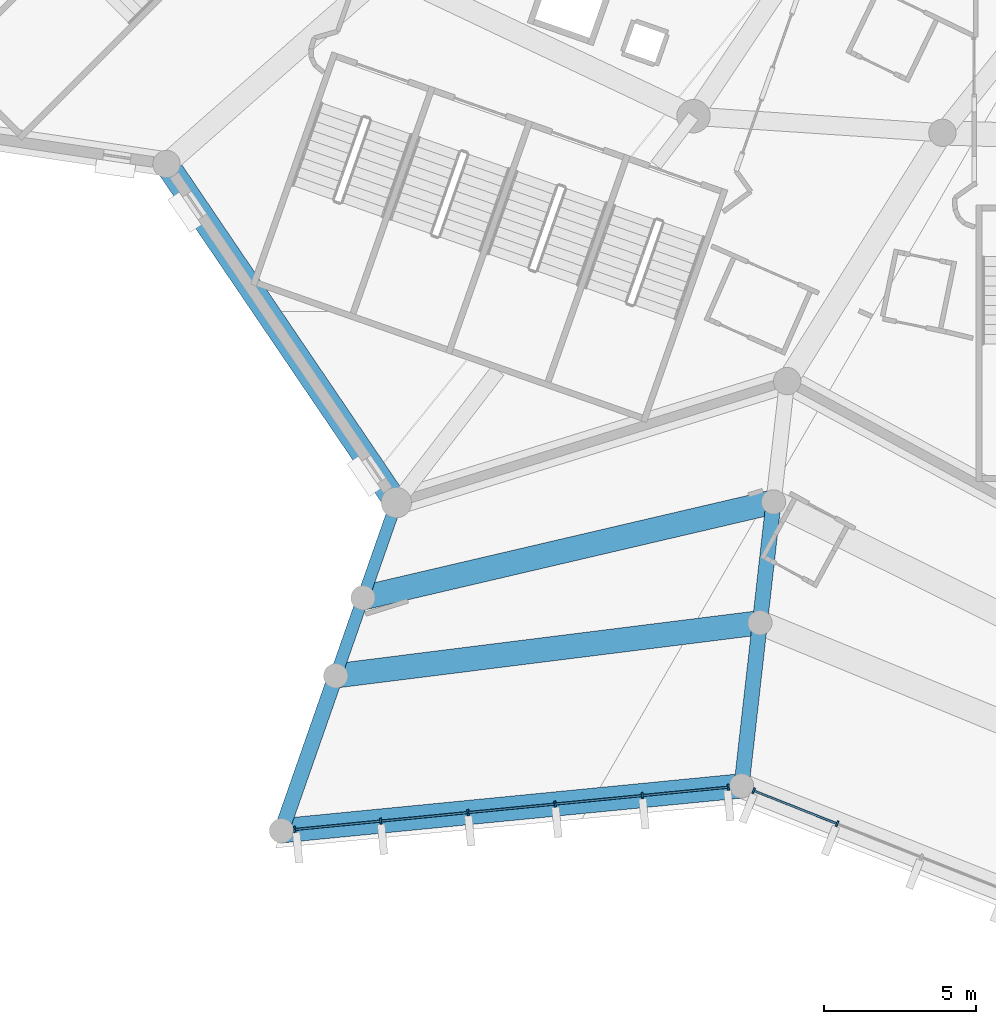
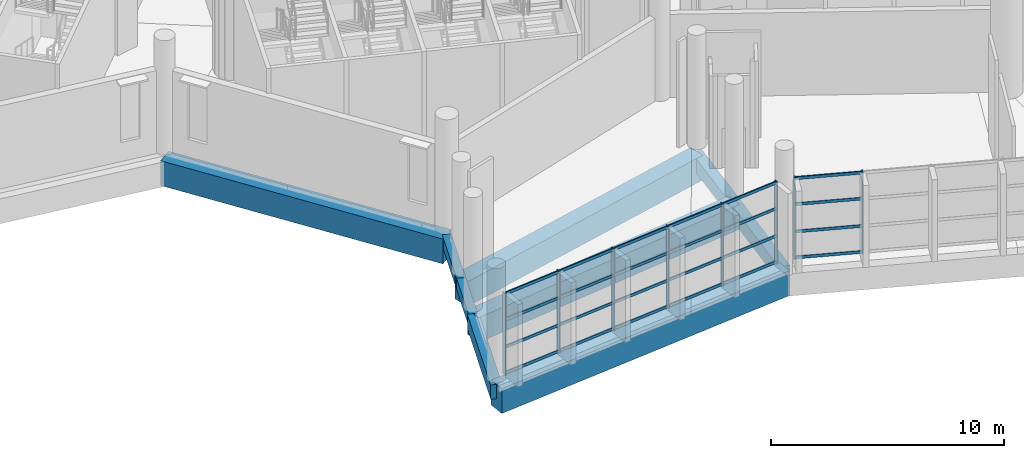
# One storey, part 6 of 249: 32 members, 9 beams, 2 elements without a shape of their own.
"""IFC4 building model written with IfcOpenShell, lengths in metres."""

from ifc_helpers import new_model, si_unit, direction, frame, origin, origin_2d, place, context, subcontext, project, spatial, rectangle, extrude, material, layer, layer_set, material_profile, profile_set, type_object, element, aggregate, save


model = new_model("IFC4")

# Units and contexts
model_context = context("Model", 3, precision=1e-05, world=origin(), true_north=direction((0.0, 1.0)))
body_context = subcontext(model_context, "Body", "Model", "MODEL_VIEW")
ifc_project = project(units=[si_unit("LENGTHUNIT", "METRE"), si_unit("AREAUNIT", "SQUARE_METRE"), si_unit("VOLUMEUNIT", "CUBIC_METRE"), si_unit("PLANEANGLEUNIT", "RADIAN"), si_unit("MASSUNIT", "GRAM", prefix="KILO")], contexts=[model_context])

# Site, building, storey
site_placement = place(None, origin())
site = spatial("IfcSite", under=ifc_project, at=site_placement, CompositionType="ELEMENT")
building_placement = place(site_placement, origin())
building = spatial("IfcBuilding", under=site, at=building_placement, Name="Meseta Stadium", CompositionType="ELEMENT")
storey_placement = place(building_placement, frame((0.0, 0.0, 12.0)))
storey = spatial("IfcBuildingStorey", under=building, at=storey_placement, Name="L02", CompositionType="ELEMENT", Elevation=12.0)

# Beams
ifc_material_1 = material(Name="Concrete C40/50", Category="concrete")
ifc_material_profile_1 = material_profile(ifc_material_1, rectangle(XDim=0.39990234375, YDim=0.60009765625, at=origin_2d()), Name="RC 400x600")
ifc_profile_set_1 = profile_set([ifc_material_profile_1], Name="Concrete C40/50")
beam_type_1 = type_object("IfcBeamType", Name="RC beam 400x600", PredefinedType="BEAM", material=ifc_profile_set_1)
beam_1_placement = place(storey_placement, frame((-64.297607421875, -102.291015625, -0.64990234375), z_axis=(-0.330229180525, -0.943900783096, 0.0), x_axis=(0.943900783096, -0.330229180525, 0.0)))
element("IfcBeam", 1, at=beam_1_placement, inside=storey, type_object=beam_type_1, Name="L02 radial beam frame 42 line R to M", PredefinedType="BEAM", context=body_context, shape_type="SweptSolid", body=[
    extrude(rectangle(XDim=0.39990234375, YDim=0.60009765625, at=origin_2d()), origin(), (0.0, 0.0, 1.0), 3.31884765625),
])
beam_2_placement = place(storey_placement, frame((-65.3935546875, -105.423583984375, -0.64990234375), z_axis=(-0.33025443173, -0.943891948436, 0.0), x_axis=(0.943891948436, -0.33025443173, 0.0)))
element("IfcBeam", 2, at=beam_2_placement, inside=storey, type_object=beam_type_1, Name="L02 radial beam frame 42 line M to Q", PredefinedType="BEAM", context=body_context, shape_type="SweptSolid", body=[
    extrude(rectangle(XDim=0.39990234375, YDim=0.60009765625, at=origin_2d()), origin(), (0.0, 0.0, 1.0), 2.718994140625),
])
ifc_material_2 = material(Name="Concrete C40/50", Category="concrete")
ifc_material_profile_2 = material_profile(ifc_material_2, rectangle(XDim=0.5, YDim=0.75, at=origin_2d()), Name="RC 500x750")
ifc_profile_set_2 = profile_set([ifc_material_profile_2], Name="Concrete C40/50")
beam_type_2 = type_object("IfcBeamType", Name="RC beam 500x750", PredefinedType="BEAM", material=ifc_profile_set_2)
beam_3_placement = place(storey_placement, frame((-66.29150390625, -107.989990234375, -0.72509765625), z_axis=(-0.330312161181, -0.943871747737, 0.0), x_axis=(0.943871747737, -0.330312161181, 0.0)))
element("IfcBeam", 3, at=beam_3_placement, inside=storey, type_object=beam_type_2, Name="L02 radial beam frame 42 line Q to O", PredefinedType="BEAM", context=body_context, shape_type="SweptSolid", body=[
    extrude(rectangle(XDim=0.5, YDim=0.75, at=origin_2d()), origin(), (0.0, 0.0, 1.0), 5.39990234375),
])
beam_4_placement = place(storey_placement, frame((-51.889404296875, -102.269287109375, -0.72509765625), z_axis=(-0.111938672346, -0.993715116939, 0.0), x_axis=(0.993715116939, -0.111938672346, 0.0)))
element("IfcBeam", 4, at=beam_4_placement, inside=storey, type_object=beam_type_2, Name="L02 radial beam frame 43 line M to Q", PredefinedType="BEAM", context=body_context, shape_type="SweptSolid", body=[
    extrude(rectangle(XDim=0.5, YDim=0.75, at=origin_2d()), origin(), (0.0, 0.0, 1.0), 4.0),
])
beam_5_placement = place(storey_placement, frame((-52.337158203125, -106.244140625, -0.72509765625), z_axis=(-0.111989542172, -0.993709385305, 0.0), x_axis=(0.993709385305, -0.111989542172, 0.0)))
element("IfcBeam", 5, at=beam_5_placement, inside=storey, type_object=beam_type_2, Name="L02 radial beam frame 43 line Q to O", PredefinedType="BEAM", context=body_context, shape_type="SweptSolid", body=[
    extrude(rectangle(XDim=0.5, YDim=0.75, at=origin_2d()), origin(), (0.0, 0.0, 1.0), 5.39990234375),
])
ifc_material_3 = material(Name="Concrete C40/50", Category="concrete")
ifc_material_profile_3 = material_profile(ifc_material_3, rectangle(XDim=0.800048828125, YDim=1.300048828125, at=origin_2d()), Name="RC 800x1300")
ifc_profile_set_3 = profile_set([ifc_material_profile_3], Name="Concrete C40/50")
beam_type_3 = type_object("IfcBeamType", Name="RC beam 800x1300", PredefinedType="BEAM", material=ifc_profile_set_3)
beam_6_placement = place(storey_placement, frame((-71.856689453125, -91.15087890625, -1.0), z_axis=(0.561486340317, -0.827486005705, 0.0), x_axis=(0.827486005705, 0.561486340317, 0.0)))
element("IfcBeam", 6, at=beam_6_placement, inside=storey, type_object=beam_type_3, Name="L02 ring beam frame 41 line R", PredefinedType="BEAM", context=body_context, shape_type="SweptSolid", body=[
    extrude(rectangle(XDim=0.800048828125, YDim=1.300048828125, at=origin_2d()), origin(), (0.0, 0.0, 1.0), 13.462646484375),
])
beam_7_placement = place(storey_placement, frame((-65.3935546875, -105.423583984375, -1.0), z_axis=(0.973788071175, 0.227457232108, 0.0), x_axis=(-0.227457232108, 0.973788071175, 0.0)))
element("IfcBeam", 7, at=beam_7_placement, inside=storey, type_object=beam_type_3, Name="L02 ring beam frame 42 line M", PredefinedType="BEAM", context=body_context, shape_type="SweptSolid", body=[
    extrude(rectangle(XDim=0.800048828125, YDim=1.300048828125, at=origin_2d()), origin(), (0.0, 0.0, 1.0), 13.86767578125),
])
beam_8_placement = place(storey_placement, frame((-66.29150390625, -107.989990234375, -1.0), z_axis=(0.99226424955, 0.124143703283, 0.0), x_axis=(-0.124143703283, 0.99226424955, 0.0)))
element("IfcBeam", 8, at=beam_8_placement, inside=storey, type_object=beam_type_3, Name="L02 ring beam frame 42 line Q", PredefinedType="BEAM", context=body_context, shape_type="SweptSolid", body=[
    extrude(rectangle(XDim=0.800048828125, YDim=1.300048828125, at=origin_2d()), origin(), (0.0, 0.0, 1.0), 14.063232421875),
])
beam_9_placement = place(storey_placement, frame((-68.0751953125, -113.0869140625, -1.0), z_axis=(0.99527217358, 0.097125179524, 0.0), x_axis=(-0.097125179524, 0.99527217358, 0.0)))
element("IfcBeam", 9, at=beam_9_placement, inside=storey, type_object=beam_type_3, Name="L02 ring beam frame 42 line O", PredefinedType="BEAM", context=body_context, shape_type="SweptSolid", body=[
    extrude(rectangle(XDim=0.800048828125, YDim=1.300048828125, at=origin_2d()), origin(), (0.0, 0.0, 1.0), 15.205078125),
])

# Curtain wall, members
ifc_material_4 = material(Name="Aluminium", Category="aluminium")
ifc_layer = layer(ifc_material_4, 0.199951171875)
ifc_layer_set = layer_set([ifc_layer], Name="Ring shopfront curtain wall")
curtain_wall_type = type_object("IfcCurtainWallType", Name="Ring shopfront curtain wall", PredefinedType="NOTDEFINED", material=ifc_layer_set)
curtain_wall_1_placement = place(storey_placement, origin())
curtain_wall_1 = element("IfcCurtainWall", 10, at=curtain_wall_1_placement, inside=storey, type_object=curtain_wall_type, Name="Ring glazing L02 F42", PredefinedType="NOTDEFINED")
ifc_material_5 = material(Name="Aluminium", Category="aluminium")
ifc_material_profile_4 = material_profile(ifc_material_5, rectangle(XDim=0.199951171875, YDim=0.06005859375, at=origin_2d()), Name="CW 200x60")
ifc_profile_set_4 = profile_set([ifc_material_profile_4], Name="Aluminium")
member_type_1 = type_object("IfcMemberType", Name="Ring CW mullion 60x200", PredefinedType="MULLION", material=ifc_profile_set_4)
member_1_placement = place(storey_placement, frame((-67.647216796875, -113.045166015625, 0.0), z_axis=(0.0, 0.0, 1.0), x_axis=(-0.097124618973, 0.995272228282, 0.0)))
member_1 = element("IfcMember", 11, at=member_1_placement, type_object=member_type_1, Name="CWR1 mullion 1", PredefinedType="MULLION", context=body_context, shape_type="SweptSolid", body=[
    extrude(rectangle(XDim=0.199951171875, YDim=0.06005859375, at=origin_2d()), origin(), (0.0, 0.0, 1.0), 4.300048828125),
])
member_2_placement = place(storey_placement, frame((-64.8095703125, -112.768310546875, 0.0), z_axis=(0.0, 0.0, 1.0), x_axis=(-0.097124618973, 0.995272228282, 0.0)))
member_2 = element("IfcMember", 12, at=member_2_placement, type_object=member_type_1, Name="CWR1 mullion 2", PredefinedType="MULLION", context=body_context, shape_type="SweptSolid", body=[
    extrude(rectangle(XDim=0.199951171875, YDim=0.06005859375, at=origin_2d()), origin(), (0.0, 0.0, 1.0), 4.300048828125),
])
member_3_placement = place(storey_placement, frame((-61.942138671875, -112.488525390625, 0.0), z_axis=(0.0, 0.0, 1.0), x_axis=(-0.097124618973, 0.995272228282, 0.0)))
member_3 = element("IfcMember", 13, at=member_3_placement, type_object=member_type_1, Name="CWR1 mullion 3", PredefinedType="MULLION", context=body_context, shape_type="SweptSolid", body=[
    extrude(rectangle(XDim=0.199951171875, YDim=0.06005859375, at=origin_2d()), origin(), (0.0, 0.0, 1.0), 4.300048828125),
])
member_4_placement = place(storey_placement, frame((-59.07470703125, -112.208740234375, 0.0), z_axis=(0.0, 0.0, 1.0), x_axis=(-0.097124618973, 0.995272228282, 0.0)))
member_4 = element("IfcMember", 14, at=member_4_placement, type_object=member_type_1, Name="CWR1 mullion 4", PredefinedType="MULLION", context=body_context, shape_type="SweptSolid", body=[
    extrude(rectangle(XDim=0.199951171875, YDim=0.06005859375, at=origin_2d()), origin(), (0.0, 0.0, 1.0), 4.300048828125),
])
member_5_placement = place(storey_placement, frame((-56.207275390625, -111.9287109375, 0.0), z_axis=(0.0, 0.0, 1.0), x_axis=(-0.097124618973, 0.995272228282, 0.0)))
member_5 = element("IfcMember", 15, at=member_5_placement, type_object=member_type_1, Name="CWR1 mullion 5", PredefinedType="MULLION", context=body_context, shape_type="SweptSolid", body=[
    extrude(rectangle(XDim=0.199951171875, YDim=0.06005859375, at=origin_2d()), origin(), (0.0, 0.0, 1.0), 4.300048828125),
])
member_6_placement = place(storey_placement, frame((-53.369873046875, -111.65185546875, 0.0), z_axis=(0.0, 0.0, 1.0), x_axis=(-0.097124618973, 0.995272228282, 0.0)))
member_6 = element("IfcMember", 16, at=member_6_placement, type_object=member_type_1, Name="CWR1 mullion 6", PredefinedType="MULLION", context=body_context, shape_type="SweptSolid", body=[
    extrude(rectangle(XDim=0.199951171875, YDim=0.06005859375, at=origin_2d()), origin(), (0.0, 0.0, 1.0), 4.300048828125),
])

curtain_wall_2_placement = place(storey_placement, origin())
curtain_wall_2 = element("IfcCurtainWall", 17, at=curtain_wall_2_placement, inside=storey, type_object=curtain_wall_type, Name="Ring glazing L02 F43", PredefinedType="NOTDEFINED")
member_7_placement = place(storey_placement, frame((-52.5419921875, -111.7685546875, 0.0), z_axis=(0.0, 0.0, 1.0), x_axis=(0.368453592088, 0.929646142614, 0.0)))
member_7 = element("IfcMember", 18, at=member_7_placement, type_object=member_type_1, Name="CWR1 mullion 1", PredefinedType="MULLION", context=body_context, shape_type="SweptSolid", body=[
    extrude(rectangle(XDim=0.199951171875, YDim=0.06005859375, at=origin_2d()), origin(), (0.0, 0.0, 1.0), 4.300048828125),
])
member_8_placement = place(storey_placement, frame((-49.796875, -112.8564453125, 0.0), z_axis=(0.0, 0.0, 1.0), x_axis=(0.368453592088, 0.929646142614, 0.0)))
member_8 = element("IfcMember", 19, at=member_8_placement, type_object=member_type_1, Name="CWR1 mullion 2", PredefinedType="MULLION", context=body_context, shape_type="SweptSolid", body=[
    extrude(rectangle(XDim=0.199951171875, YDim=0.06005859375, at=origin_2d()), origin(), (0.0, 0.0, 1.0), 4.300048828125),
])

# Member
ifc_material_6 = material(Name="Aluminium", Category="aluminium")
ifc_material_profile_5 = material_profile(ifc_material_6, rectangle(XDim=0.06005859375, YDim=0.14990234375, at=origin_2d()), Name="CW 60x150")
ifc_profile_set_5 = profile_set([ifc_material_profile_5], Name="Aluminium")
member_type_2 = type_object("IfcMemberType", Name="Ring CW transom 60x150", PredefinedType="USERDEFINED", material=ifc_profile_set_5)
member_9_placement = place(storey_placement, frame((-67.6171875, -113.042236328125, 0.074951171875), z_axis=(0.995275046285, 0.097095737509, 0.0), x_axis=(-0.097095737509, 0.995275046285, 0.0)))
member_9 = element("IfcMember", 20, at=member_9_placement, type_object=member_type_2, Name="CWR1 transom 1.1", ObjectType="TRANSOM", PredefinedType="USERDEFINED", context=body_context, shape_type="SweptSolid", body=[
    extrude(rectangle(XDim=0.06005859375, YDim=0.14990234375, at=origin_2d()), origin(), (0.0, 0.0, 1.0), 2.791015625),
])

member_10_placement = place(storey_placement, frame((-67.6171875, -113.042236328125, 1.433349609375), z_axis=(0.995275046285, 0.097095737509, 0.0), x_axis=(-0.097095737509, 0.995275046285, 0.0)))
member_10 = element("IfcMember", 21, at=member_10_placement, type_object=member_type_2, Name="CWR1 transom 1.2", ObjectType="TRANSOM", PredefinedType="USERDEFINED", context=body_context, shape_type="SweptSolid", body=[
    extrude(rectangle(XDim=0.06005859375, YDim=0.14990234375, at=origin_2d()), origin(), (0.0, 0.0, 1.0), 2.791015625),
])

member_11_placement = place(storey_placement, frame((-67.6171875, -113.042236328125, 2.86669921875), z_axis=(0.995275046285, 0.097095737509, 0.0), x_axis=(-0.097095737509, 0.995275046285, 0.0)))
member_11 = element("IfcMember", 22, at=member_11_placement, type_object=member_type_2, Name="CWR1 transom 1.3", ObjectType="TRANSOM", PredefinedType="USERDEFINED", context=body_context, shape_type="SweptSolid", body=[
    extrude(rectangle(XDim=0.06005859375, YDim=0.14990234375, at=origin_2d()), origin(), (0.0, 0.0, 1.0), 2.791015625),
])

member_12_placement = place(storey_placement, frame((-67.6171875, -113.042236328125, 4.22509765625), z_axis=(0.995275046285, 0.097095737509, 0.0), x_axis=(-0.097095737509, 0.995275046285, 0.0)))
member_12 = element("IfcMember", 23, at=member_12_placement, type_object=member_type_2, Name="CWR1 transom 1.4", ObjectType="TRANSOM", PredefinedType="USERDEFINED", context=body_context, shape_type="SweptSolid", body=[
    extrude(rectangle(XDim=0.06005859375, YDim=0.14990234375, at=origin_2d()), origin(), (0.0, 0.0, 1.0), 2.791015625),
])

member_13_placement = place(storey_placement, frame((-64.77978515625, -112.765380859375, 0.074951171875), z_axis=(0.995275041875, 0.097095782713, 0.0), x_axis=(-0.097095782713, 0.995275041875, 0.0)))
member_13 = element("IfcMember", 24, at=member_13_placement, type_object=member_type_2, Name="CWR1 transom 2.1", ObjectType="TRANSOM", PredefinedType="USERDEFINED", context=body_context, shape_type="SweptSolid", body=[
    extrude(rectangle(XDim=0.06005859375, YDim=0.14990234375, at=origin_2d()), origin(), (0.0, 0.0, 1.0), 2.8212890625),
])

member_14_placement = place(storey_placement, frame((-64.77978515625, -112.765380859375, 1.433349609375), z_axis=(0.995275041875, 0.097095782713, 0.0), x_axis=(-0.097095782713, 0.995275041875, 0.0)))
member_14 = element("IfcMember", 25, at=member_14_placement, type_object=member_type_2, Name="CWR1 transom 2.2", ObjectType="TRANSOM", PredefinedType="USERDEFINED", context=body_context, shape_type="SweptSolid", body=[
    extrude(rectangle(XDim=0.06005859375, YDim=0.14990234375, at=origin_2d()), origin(), (0.0, 0.0, 1.0), 2.8212890625),
])

member_15_placement = place(storey_placement, frame((-64.77978515625, -112.765380859375, 2.86669921875), z_axis=(0.995275041875, 0.097095782713, 0.0), x_axis=(-0.097095782713, 0.995275041875, 0.0)))
member_15 = element("IfcMember", 26, at=member_15_placement, type_object=member_type_2, Name="CWR1 transom 2.3", ObjectType="TRANSOM", PredefinedType="USERDEFINED", context=body_context, shape_type="SweptSolid", body=[
    extrude(rectangle(XDim=0.06005859375, YDim=0.14990234375, at=origin_2d()), origin(), (0.0, 0.0, 1.0), 2.8212890625),
])

member_16_placement = place(storey_placement, frame((-64.77978515625, -112.765380859375, 4.22509765625), z_axis=(0.995275041875, 0.097095782713, 0.0), x_axis=(-0.097095782713, 0.995275041875, 0.0)))
member_16 = element("IfcMember", 27, at=member_16_placement, type_object=member_type_2, Name="CWR1 transom 2.4", ObjectType="TRANSOM", PredefinedType="USERDEFINED", context=body_context, shape_type="SweptSolid", body=[
    extrude(rectangle(XDim=0.06005859375, YDim=0.14990234375, at=origin_2d()), origin(), (0.0, 0.0, 1.0), 2.8212890625),
])

member_17_placement = place(storey_placement, frame((-61.912353515625, -112.485595703125, 0.074951171875), z_axis=(0.995275041875, 0.097095782713, 0.0), x_axis=(-0.097095782713, 0.995275041875, 0.0)))
member_17 = element("IfcMember", 28, at=member_17_placement, type_object=member_type_2, Name="CWR1 transom 3.1", ObjectType="TRANSOM", PredefinedType="USERDEFINED", context=body_context, shape_type="SweptSolid", body=[
    extrude(rectangle(XDim=0.06005859375, YDim=0.14990234375, at=origin_2d()), origin(), (0.0, 0.0, 1.0), 2.8212890625),
])

member_18_placement = place(storey_placement, frame((-61.912353515625, -112.485595703125, 1.433349609375), z_axis=(0.995275041875, 0.097095782713, 0.0), x_axis=(-0.097095782713, 0.995275041875, 0.0)))
member_18 = element("IfcMember", 29, at=member_18_placement, type_object=member_type_2, Name="CWR1 transom 3.2", ObjectType="TRANSOM", PredefinedType="USERDEFINED", context=body_context, shape_type="SweptSolid", body=[
    extrude(rectangle(XDim=0.06005859375, YDim=0.14990234375, at=origin_2d()), origin(), (0.0, 0.0, 1.0), 2.8212890625),
])

member_19_placement = place(storey_placement, frame((-61.912353515625, -112.485595703125, 2.86669921875), z_axis=(0.995275041875, 0.097095782713, 0.0), x_axis=(-0.097095782713, 0.995275041875, 0.0)))
member_19 = element("IfcMember", 30, at=member_19_placement, type_object=member_type_2, Name="CWR1 transom 3.3", ObjectType="TRANSOM", PredefinedType="USERDEFINED", context=body_context, shape_type="SweptSolid", body=[
    extrude(rectangle(XDim=0.06005859375, YDim=0.14990234375, at=origin_2d()), origin(), (0.0, 0.0, 1.0), 2.8212890625),
])

member_20_placement = place(storey_placement, frame((-61.912353515625, -112.485595703125, 4.22509765625), z_axis=(0.995275041875, 0.097095782713, 0.0), x_axis=(-0.097095782713, 0.995275041875, 0.0)))
member_20 = element("IfcMember", 31, at=member_20_placement, type_object=member_type_2, Name="CWR1 transom 3.4", ObjectType="TRANSOM", PredefinedType="USERDEFINED", context=body_context, shape_type="SweptSolid", body=[
    extrude(rectangle(XDim=0.06005859375, YDim=0.14990234375, at=origin_2d()), origin(), (0.0, 0.0, 1.0), 2.8212890625),
])

member_21_placement = place(storey_placement, frame((-59.044921875, -112.205810546875, 0.074951171875), z_axis=(0.995266675468, 0.097181503917, 0.0), x_axis=(-0.097181503917, 0.995266675468, 0.0)))
member_21 = element("IfcMember", 32, at=member_21_placement, type_object=member_type_2, Name="CWR1 transom 4.1", ObjectType="TRANSOM", PredefinedType="USERDEFINED", context=body_context, shape_type="SweptSolid", body=[
    extrude(rectangle(XDim=0.06005859375, YDim=0.14990234375, at=origin_2d()), origin(), (0.0, 0.0, 1.0), 2.8212890625),
])

member_22_placement = place(storey_placement, frame((-59.044921875, -112.205810546875, 1.433349609375), z_axis=(0.995266675468, 0.097181503917, 0.0), x_axis=(-0.097181503917, 0.995266675468, 0.0)))
member_22 = element("IfcMember", 33, at=member_22_placement, type_object=member_type_2, Name="CWR1 transom 4.2", ObjectType="TRANSOM", PredefinedType="USERDEFINED", context=body_context, shape_type="SweptSolid", body=[
    extrude(rectangle(XDim=0.06005859375, YDim=0.14990234375, at=origin_2d()), origin(), (0.0, 0.0, 1.0), 2.8212890625),
])

member_23_placement = place(storey_placement, frame((-59.044921875, -112.205810546875, 2.86669921875), z_axis=(0.995266675468, 0.097181503917, 0.0), x_axis=(-0.097181503917, 0.995266675468, 0.0)))
member_23 = element("IfcMember", 34, at=member_23_placement, type_object=member_type_2, Name="CWR1 transom 4.3", ObjectType="TRANSOM", PredefinedType="USERDEFINED", context=body_context, shape_type="SweptSolid", body=[
    extrude(rectangle(XDim=0.06005859375, YDim=0.14990234375, at=origin_2d()), origin(), (0.0, 0.0, 1.0), 2.8212890625),
])

member_24_placement = place(storey_placement, frame((-59.044921875, -112.205810546875, 4.22509765625), z_axis=(0.995266675468, 0.097181503917, 0.0), x_axis=(-0.097181503917, 0.995266675468, 0.0)))
member_24 = element("IfcMember", 35, at=member_24_placement, type_object=member_type_2, Name="CWR1 transom 4.4", ObjectType="TRANSOM", PredefinedType="USERDEFINED", context=body_context, shape_type="SweptSolid", body=[
    extrude(rectangle(XDim=0.06005859375, YDim=0.14990234375, at=origin_2d()), origin(), (0.0, 0.0, 1.0), 2.8212890625),
])

member_25_placement = place(storey_placement, frame((-56.177490234375, -111.926025390625, 0.074951171875), z_axis=(0.995266589398, 0.097182385377, 0.0), x_axis=(-0.097182385377, 0.995266589398, 0.0)))
member_25 = element("IfcMember", 36, at=member_25_placement, type_object=member_type_2, Name="CWR1 transom 5.1", ObjectType="TRANSOM", PredefinedType="USERDEFINED", context=body_context, shape_type="SweptSolid", body=[
    extrude(rectangle(XDim=0.06005859375, YDim=0.14990234375, at=origin_2d()), origin(), (0.0, 0.0, 1.0), 2.791015625),
])

member_26_placement = place(storey_placement, frame((-56.177490234375, -111.926025390625, 1.433349609375), z_axis=(0.995266589398, 0.097182385377, 0.0), x_axis=(-0.097182385377, 0.995266589398, 0.0)))
member_26 = element("IfcMember", 37, at=member_26_placement, type_object=member_type_2, Name="CWR1 transom 5.2", ObjectType="TRANSOM", PredefinedType="USERDEFINED", context=body_context, shape_type="SweptSolid", body=[
    extrude(rectangle(XDim=0.06005859375, YDim=0.14990234375, at=origin_2d()), origin(), (0.0, 0.0, 1.0), 2.791015625),
])

member_27_placement = place(storey_placement, frame((-56.177490234375, -111.926025390625, 2.86669921875), z_axis=(0.995266589398, 0.097182385377, 0.0), x_axis=(-0.097182385377, 0.995266589398, 0.0)))
member_27 = element("IfcMember", 38, at=member_27_placement, type_object=member_type_2, Name="CWR1 transom 5.3", ObjectType="TRANSOM", PredefinedType="USERDEFINED", context=body_context, shape_type="SweptSolid", body=[
    extrude(rectangle(XDim=0.06005859375, YDim=0.14990234375, at=origin_2d()), origin(), (0.0, 0.0, 1.0), 2.791015625),
])

member_28_placement = place(storey_placement, frame((-56.177490234375, -111.926025390625, 4.22509765625), z_axis=(0.995266589398, 0.097182385377, 0.0), x_axis=(-0.097182385377, 0.995266589398, 0.0)))
member_28 = element("IfcMember", 39, at=member_28_placement, type_object=member_type_2, Name="CWR1 transom 5.4", ObjectType="TRANSOM", PredefinedType="USERDEFINED", context=body_context, shape_type="SweptSolid", body=[
    extrude(rectangle(XDim=0.06005859375, YDim=0.14990234375, at=origin_2d()), origin(), (0.0, 0.0, 1.0), 2.791015625),
])

aggregate(curtain_wall_1, [member_1, member_2, member_3, member_4, member_5, member_6, member_9, member_10, member_11, member_12, member_13, member_14, member_15, member_16, member_17, member_18, member_19, member_20, member_21, member_22, member_23, member_24, member_25, member_26, member_27, member_28])

member_29_placement = place(storey_placement, frame((-52.51416015625, -111.779541015625, 0.074951171875), z_axis=(0.929636230527, -0.368478600316, 0.0), x_axis=(0.368478600316, 0.929636230527, 0.0)))
member_29 = element("IfcMember", 40, at=member_29_placement, type_object=member_type_2, Name="CWR1 transom 1.1", ObjectType="TRANSOM", PredefinedType="USERDEFINED", context=body_context, shape_type="SweptSolid", body=[
    extrude(rectangle(XDim=0.06005859375, YDim=0.14990234375, at=origin_2d()), origin(), (0.0, 0.0, 1.0), 2.892822265625),
])

member_30_placement = place(storey_placement, frame((-52.51416015625, -111.779541015625, 1.433349609375), z_axis=(0.929636230527, -0.368478600316, 0.0), x_axis=(0.368478600316, 0.929636230527, 0.0)))
member_30 = element("IfcMember", 41, at=member_30_placement, type_object=member_type_2, Name="CWR1 transom 1.2", ObjectType="TRANSOM", PredefinedType="USERDEFINED", context=body_context, shape_type="SweptSolid", body=[
    extrude(rectangle(XDim=0.06005859375, YDim=0.14990234375, at=origin_2d()), origin(), (0.0, 0.0, 1.0), 2.892822265625),
])

member_31_placement = place(storey_placement, frame((-52.51416015625, -111.779541015625, 2.86669921875), z_axis=(0.929636230527, -0.368478600316, 0.0), x_axis=(0.368478600316, 0.929636230527, 0.0)))
member_31 = element("IfcMember", 42, at=member_31_placement, type_object=member_type_2, Name="CWR1 transom 1.3", ObjectType="TRANSOM", PredefinedType="USERDEFINED", context=body_context, shape_type="SweptSolid", body=[
    extrude(rectangle(XDim=0.06005859375, YDim=0.14990234375, at=origin_2d()), origin(), (0.0, 0.0, 1.0), 2.892822265625),
])

member_32_placement = place(storey_placement, frame((-52.51416015625, -111.779541015625, 4.22509765625), z_axis=(0.929636230527, -0.368478600316, 0.0), x_axis=(0.368478600316, 0.929636230527, 0.0)))
member_32 = element("IfcMember", 43, at=member_32_placement, type_object=member_type_2, Name="CWR1 transom 1.4", ObjectType="TRANSOM", PredefinedType="USERDEFINED", context=body_context, shape_type="SweptSolid", body=[
    extrude(rectangle(XDim=0.06005859375, YDim=0.14990234375, at=origin_2d()), origin(), (0.0, 0.0, 1.0), 2.892822265625),
])

aggregate(curtain_wall_2, [member_7, member_8, member_29, member_30, member_31, member_32])

save(model, "model.ifc")
